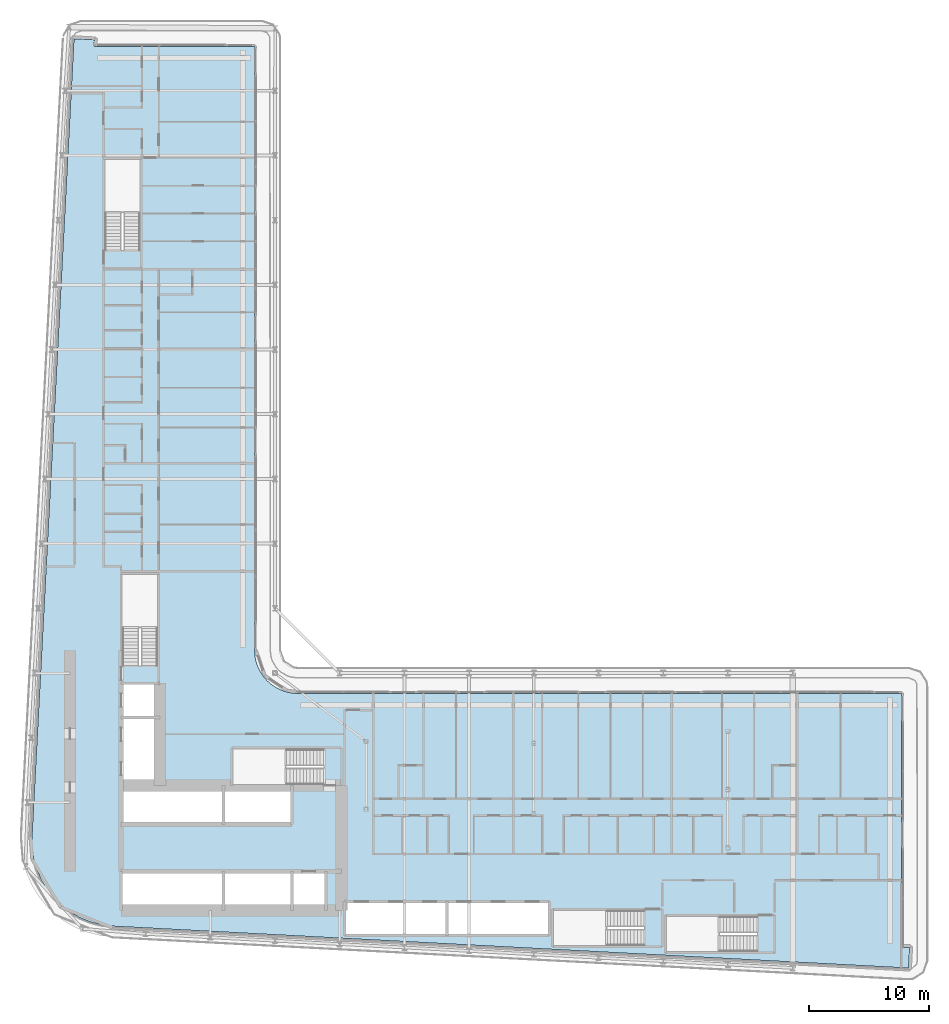
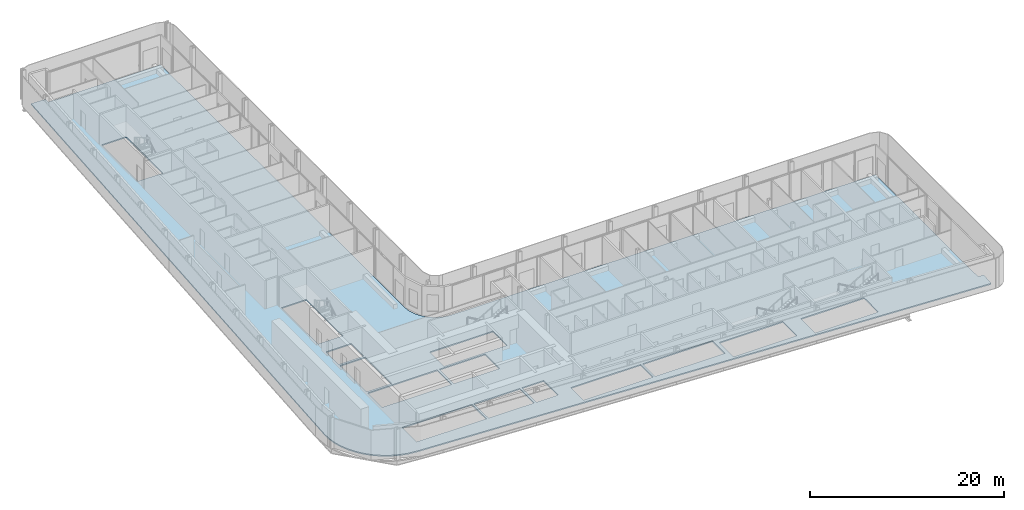
# One storey, part 11 of 28: 1 slab.
"""IFC4 building model written with IfcOpenShell, lengths in metres."""

import ifcopenshell
import ifcopenshell.guid

model = None  # the IFC model being written
_history = None  # IfcOwnerHistory: only IFC2X3 demands one
_inside = {}  # id of a spatial element -> (the spatial element, [elements in it])
_under = {}  # id of a project, library or spatial element -> (it, [spatial elements below it])
_declared = {}  # id of a project -> (the project, [libraries it declares])
_typed = {}  # id of a type object -> (the type object, [elements of that type])
_made_of = {}  # id of a material, layer set ... -> (it, [elements and type objects made of it])


def new_model(schema):
    """Start an empty IFC model of exactly this schema.

    Asked for "IFC4X3", IfcOpenShell would pick the latest addendum, in which some entities
    have other attributes; the version numbers below select the first issue.
    IFC2X3 requires an IfcOwnerHistory on every rooted entity: one is made here for all.
    """
    global model, _history
    if schema == "IFC4X3":
        model = ifcopenshell.file(schema_version=(4, 3, 0, 0))
    else:
        model = ifcopenshell.file(schema=schema)
    _inside.clear()
    _under.clear()
    _declared.clear()
    _typed.clear()
    _made_of.clear()
    _history = None
    if model.schema == "IFC2X3":
        org = make("IfcOrganization", Name="unknown")
        user = make(
            "IfcPersonAndOrganization",
            ThePerson=make("IfcPerson", FamilyName="unknown"),
            TheOrganization=org,
        )
        app = make(
            "IfcApplication",
            ApplicationDeveloper=org,
            Version="unknown",
            ApplicationFullName="unknown",
            ApplicationIdentifier="unknown",
        )
        _history = make(
            "IfcOwnerHistory",
            OwningUser=user,
            OwningApplication=app,
            ChangeAction="ADDED",
            CreationDate=0,
        )
    return model


def make(cls, **values):
    """One entity of the class cls with the attributes given. An attribute that is None is left unset."""
    return model.create_entity(
        cls, **{name: value for name, value in values.items() if value is not None}
    )


def rooted(cls, **values):
    """An entity with a GlobalId (a new one), such as an element, a storey or a relation."""
    return make(cls, GlobalId=ifcopenshell.guid.new(), OwnerHistory=_history, **values)


def si_unit(unit_type, name, prefix=None):
    """IfcSIUnit, for example si_unit("LENGTHUNIT", "METRE", prefix="MILLI")."""
    return make("IfcSIUnit", UnitType=unit_type, Prefix=prefix, Name=name)


def assignment(units):
    """IfcUnitAssignment: the units of a project."""
    return None if units is None else make("IfcUnitAssignment", Units=units)


def point(xyz):
    """IfcCartesianPoint."""
    return None if xyz is None else make("IfcCartesianPoint", Coordinates=xyz)


def direction(xyz):
    """IfcDirection."""
    return None if xyz is None else make("IfcDirection", DirectionRatios=xyz)


def frame(location, z_axis=None, x_axis=None):
    """IfcAxis2Placement3D, a coordinate frame: its origin and axes. An axis left out is left unset."""
    return make(
        "IfcAxis2Placement3D",
        Location=point(location),
        Axis=direction(z_axis),
        RefDirection=direction(x_axis),
    )


def origin():
    """The frame at (0, 0, 0) with its axes left unset."""
    return frame((0.0, 0.0, 0.0))


def place(relative_to, where):
    """IfcLocalPlacement: puts the frame where relative to a parent placement (None: the world)."""
    return make(
        "IfcLocalPlacement", PlacementRelTo=relative_to, RelativePlacement=where
    )


def context(
    kind, dimensions, precision=None, world=None, true_north=None, identifier=None
):
    """IfcGeometricRepresentationContext, for example the 3D "Model" context."""
    return make(
        "IfcGeometricRepresentationContext",
        ContextIdentifier=identifier,
        ContextType=kind,
        CoordinateSpaceDimension=dimensions,
        Precision=precision,
        WorldCoordinateSystem=world,
        TrueNorth=true_north,
    )


def subcontext(parent, identifier, kind, view, scale=None):
    """IfcGeometricRepresentationSubContext, for example "Body" below "Model"."""
    return make(
        "IfcGeometricRepresentationSubContext",
        ContextIdentifier=identifier,
        ContextType=kind,
        ParentContext=parent,
        TargetScale=scale,
        TargetView=view,
    )


def project(units=None, contexts=None):
    """IfcProject with its units and contexts."""
    return rooted(
        "IfcProject",
        Name="project",
        RepresentationContexts=contexts,
        UnitsInContext=assignment(units),
    )


def spatial(cls, under=None, at=None, **own):
    """A site, building, storey or space (cls), placed at a placement, below another one or the project."""
    s = rooted(cls, ObjectPlacement=at, **own)
    if under is not None:
        _under.setdefault(under.id(), (under, []))[1].append(s)
    return s


def polyline(points):
    """IfcPolyline through the points."""
    return make("IfcPolyline", Points=[point(p) for p in points])


def outline(outer, holes=None, kind="AREA"):
    """IfcArbitraryClosedProfileDef: a profile drawn as a closed curve; with holes, ...WithVoids."""
    if holes is None:
        return make("IfcArbitraryClosedProfileDef", ProfileType=kind, OuterCurve=outer)
    return make(
        "IfcArbitraryProfileDefWithVoids",
        ProfileType=kind,
        OuterCurve=outer,
        InnerCurves=holes,
    )


def extrude(swept, where, along, depth):
    """IfcExtrudedAreaSolid: the profile swept, set in the frame where, extruded along a direction by depth."""
    return make(
        "IfcExtrudedAreaSolid",
        SweptArea=swept,
        Position=where,
        ExtrudedDirection=direction(along),
        Depth=depth,
    )


def shape(context_of_items, identifier, shape_type, items):
    """IfcShapeRepresentation: the items that make up one representation, for example the "Body"."""
    return make(
        "IfcShapeRepresentation",
        ContextOfItems=context_of_items,
        RepresentationIdentifier=identifier,
        RepresentationType=shape_type,
        Items=items,
    )


def material(Name=None, Category=None):
    """IfcMaterial."""
    return make("IfcMaterial", Name=Name, Category=Category)


def layer(
    of_material, thickness, ventilated=None, Name=None, Category=None, Priority=None
):
    """IfcMaterialLayer: one layer of a wall or slab, of a material (None: an air gap)."""
    return make(
        "IfcMaterialLayer",
        Material=of_material,
        LayerThickness=thickness,
        IsVentilated=ventilated,
        Name=Name,
        Category=Category,
        Priority=Priority,
    )


def layer_set(layers, Name=None):
    """IfcMaterialLayerSet."""
    return make("IfcMaterialLayerSet", MaterialLayers=layers, LayerSetName=Name)


def made_of(thing, what):
    """Note that an element or type object is made of a material, layer set ...; save() writes the relation."""
    if what is not None:
        _made_of.setdefault(what.id(), (what, []))[1].append(thing)
    return thing


def type_object(cls, material=None, **own):
    """A type object (cls), such as IfcWallType, which elements share."""
    return made_of(rooted(cls, **own), material)


def element(
    cls,
    number,
    at=None,
    inside=None,
    cuts=None,
    type_object=None,
    material=None,
    context=None,
    identifier="Body",
    shape_type=None,
    held_by="IfcProductDefinitionShape",
    body=None,
    shapes=None,
    **own,
):
    """One element of the class cls, such as IfcWall. Its Tag is "e" and its number.

    at: its placement. inside: the storey or other place that contains it. cuts: it is an
    opening in that element (IfcRelVoidsElement). A single representation is given by context,
    identifier, shape_type and body (its items); several are given by shapes. held_by: the class
    of the entity that holds the representations. save() writes the other relations.
    """
    e = rooted(cls, Tag="e%d" % number, ObjectPlacement=at, **own)
    if body is not None:
        shapes = [shape(context, identifier, shape_type, body)]
    if shapes is not None:
        e.Representation = make(held_by, Representations=shapes)
    if inside is not None:
        _inside.setdefault(inside.id(), (inside, []))[1].append(e)
    if cuts is not None:
        rooted(
            "IfcRelVoidsElement", RelatingBuildingElement=cuts, RelatedOpeningElement=e
        )
    if type_object is not None:
        _typed.setdefault(type_object.id(), (type_object, []))[1].append(e)
    return made_of(e, material)


def aggregate(whole, parts):
    """IfcRelAggregates: a whole, such as a stair, and the parts it consists of."""
    return rooted("IfcRelAggregates", RelatingObject=whole, RelatedObjects=parts)


def save(model, path):
    """Write the relations noted so far, then the file.

    IfcRelAggregates (storeys below a building ...), IfcRelContainedInSpatialStructure (elements
    in a storey), IfcRelDefinesByType, IfcRelAssociatesMaterial and IfcRelDeclares: one each for
    every whole, place, type object, material and project.
    """
    for whole, parts in _under.values():
        aggregate(whole, parts)
    for where, things in _inside.values():
        rooted(
            "IfcRelContainedInSpatialStructure",
            RelatedElements=things,
            RelatingStructure=where,
        )
    for kind, things in _typed.values():
        rooted("IfcRelDefinesByType", RelatedObjects=things, RelatingType=kind)
    for what, things in _made_of.values():
        rooted("IfcRelAssociatesMaterial", RelatedObjects=things, RelatingMaterial=what)
    for by, libraries in _declared.values():
        rooted("IfcRelDeclares", RelatingContext=by, RelatedDefinitions=libraries)
    model.write(path)


model = new_model("IFC4")

# Units and contexts
model_context = context("Model", 3, precision=1e-05, world=origin(), true_north=direction((0.0, 1.0)))
body_context = subcontext(model_context, "Body", "Model", "MODEL_VIEW")
ifc_project = project(units=[si_unit("LENGTHUNIT", "METRE"), si_unit("AREAUNIT", "SQUARE_METRE"), si_unit("VOLUMEUNIT", "CUBIC_METRE"), si_unit("PLANEANGLEUNIT", "RADIAN"), si_unit("MASSUNIT", "GRAM", prefix="KILO")], contexts=[model_context])

# Site, building, storey
site_placement = place(None, origin())
site = spatial("IfcSite", under=ifc_project, at=site_placement, CompositionType="ELEMENT")
building_placement = place(site_placement, origin())
building = spatial("IfcBuilding", under=site, at=building_placement, Name="Kheshtan School and Residences Tower", CompositionType="ELEMENT")
storey_placement = place(building_placement, frame((0.0, 0.0, 77.300048828125)))
storey = spatial("IfcBuildingStorey", under=building, at=storey_placement, Name="L18", CompositionType="ELEMENT", Elevation=77.300048828125)

# Slab
ifc_material = material(Name="Concrete C40/50", Category="concrete")
ifc_layer = layer(ifc_material, 0.14990234375)
ifc_layer_set = layer_set([ifc_layer], Name="Floor slab 150 Concrete C40/50")
slab_type = type_object("IfcSlabType", Name="Floor slab 150 Concrete C40/50", PredefinedType="FLOOR", material=ifc_layer_set)
slab_placement = place(storey_placement, frame((0.0, 0.0, -0.150146484375)))
element("IfcSlab", 1, at=slab_placement, inside=storey, type_object=slab_type, Name="Floor slab L18", PredefinedType="FLOOR", context=body_context, shape_type="SweptSolid", body=[
    extrude(outline(polyline([(27.718017578125, 29.200927734375), (27.466064453125, 30.093017578125), (27.466064453125, 30.093994140625), (27.3330078125, 31.013916015625), (27.320068359375, 31.965087890625), (27.320068359375, 31.970947265625), (30.822021484375, 98.5009765625), (30.822998046875, 98.508056640625), (30.825927734375, 98.531005859375), (30.825927734375, 98.531982421875), (30.826904296875, 98.531982421875), (31.422119140625, 98.5), (31.423095703125, 98.5), (31.423095703125, 98.4990234375), (31.423095703125, 98.4951171875), (31.423095703125, 98.493896484375), (31.424072265625, 98.493896484375), (31.424072265625, 98.492919921875), (31.425048828125, 98.492919921875), (31.426025390625, 98.492919921875), (31.426025390625, 98.493896484375), (31.427978515625, 98.49609375), (31.428955078125, 98.4970703125), (31.429931640625, 98.498046875), (31.430908203125, 98.498046875), (31.430908203125, 98.4990234375), (31.431884765625, 98.4990234375), (31.431884765625, 98.5), (31.43505859375, 98.5009765625), (31.43603515625, 98.501953125), (31.43896484375, 98.501953125), (31.43994140625, 98.501953125), (31.43994140625, 98.5029296875), (31.44091796875, 98.5029296875), (31.446044921875, 98.5029296875), (32.5009765625, 98.447021484375), (32.50390625, 98.447021484375), (32.5048828125, 98.447021484375), (32.5048828125, 98.446044921875), (32.506103515625, 98.446044921875), (32.510009765625, 98.446044921875), (32.510009765625, 98.445068359375), (32.510986328125, 98.445068359375), (32.510986328125, 98.444091796875), (32.511962890625, 98.444091796875), (32.511962890625, 98.443115234375), (32.512939453125, 98.443115234375), (32.513916015625, 98.443115234375), (32.513916015625, 98.44189453125), (32.514892578125, 98.44189453125), (32.51611328125, 98.44189453125), (32.51904296875, 98.43896484375), (32.51904296875, 98.43798828125), (32.51904296875, 98.43701171875), (32.52001953125, 98.43701171875), (32.52001953125, 98.43603515625), (32.52099609375, 98.43603515625), (32.52099609375, 98.43408203125), (32.52099609375, 98.43310546875), (32.52197265625, 98.43310546875), (32.52197265625, 98.431884765625), (32.52294921875, 98.431884765625), (32.52294921875, 98.430908203125), (32.52294921875, 98.428955078125), (32.52294921875, 98.427978515625), (32.52392578125, 98.427978515625), (32.52392578125, 98.427001953125), (32.52392578125, 98.422119140625), (32.4970703125, 97.9208984375), (32.4970703125, 97.91796875), (32.4970703125, 97.9169921875), (32.49609375, 97.9169921875), (32.49609375, 97.916015625), (32.49609375, 97.912109375), (32.4951171875, 97.910888671875), (32.4951171875, 97.909912109375), (32.493896484375, 97.909912109375), (32.493896484375, 97.908935546875), (32.492919921875, 97.908935546875), (32.492919921875, 97.907958984375), (32.489013671875, 97.904052734375), (32.488037109375, 97.904052734375), (32.488037109375, 97.903076171875), (32.488037109375, 97.902099609375), (32.488037109375, 97.90087890625), (32.489013671875, 97.90087890625), (32.489013671875, 97.89990234375), (32.489990234375, 97.89990234375), (45.85498046875, 97.89990234375), (45.864990234375, 97.89794921875), (45.865966796875, 97.89794921875), (45.868896484375, 97.89599609375), (45.8740234375, 97.89404296875), (45.8779296875, 97.89208984375), (45.881103515625, 97.889892578125), (45.881103515625, 97.888916015625), (45.882080078125, 97.888916015625), (45.882080078125, 97.887939453125), (45.883056640625, 97.887939453125), (45.884033203125, 97.885009765625), (45.885009765625, 97.885009765625), (45.885009765625, 97.884033203125), (45.887939453125, 97.883056640625), (45.887939453125, 97.882080078125), (45.888916015625, 97.882080078125), (45.888916015625, 97.881103515625), (45.889892578125, 97.881103515625), (45.89208984375, 97.8779296875), (45.89404296875, 97.8740234375), (45.89599609375, 97.868896484375), (45.89794921875, 97.865966796875), (45.89794921875, 97.864990234375), (45.89990234375, 97.85498046875), (45.89990234375, 47.429931640625), (45.927001953125, 47.030029296875), (46.01806640625, 46.570068359375), (46.01806640625, 46.569091796875), (46.169921875, 46.1201171875), (46.37890625, 45.697021484375), (46.638916015625, 45.30810546875), (46.949951171875, 44.950927734375), (46.950927734375, 44.949951171875), (47.30810546875, 44.638916015625), (47.697021484375, 44.37890625), (48.1201171875, 44.169921875), (48.569091796875, 44.01806640625), (48.570068359375, 44.01806640625), (49.030029296875, 43.927001953125), (49.429931640625, 43.89990234375), (99.85498046875, 43.89990234375), (99.864990234375, 43.89794921875), (99.865966796875, 43.89794921875), (99.868896484375, 43.89599609375), (99.8740234375, 43.89404296875), (99.8779296875, 43.89208984375), (99.881103515625, 43.889892578125), (99.881103515625, 43.888916015625), (99.882080078125, 43.888916015625), (99.882080078125, 43.887939453125), (99.883056640625, 43.887939453125), (99.884033203125, 43.885009765625), (99.885009765625, 43.885009765625), (99.885009765625, 43.884033203125), (99.887939453125, 43.883056640625), (99.887939453125, 43.882080078125), (99.888916015625, 43.882080078125), (99.888916015625, 43.881103515625), (99.889892578125, 43.881103515625), (99.89208984375, 43.8779296875), (99.89404296875, 43.8740234375), (99.89599609375, 43.868896484375), (99.89794921875, 43.865966796875), (99.89794921875, 43.864990234375), (99.89990234375, 43.85498046875), (99.89990234375, 22.708984375), (99.89990234375, 22.7080078125), (99.90087890625, 22.7080078125), (99.90087890625, 22.70703125), (99.902099609375, 22.70703125), (99.903076171875, 22.70703125), (99.903076171875, 22.7080078125), (99.905029296875, 22.7099609375), (99.906982421875, 22.7119140625), (99.907958984375, 22.7119140625), (99.907958984375, 22.712890625), (99.908935546875, 22.712890625), (99.908935546875, 22.714111328125), (99.909912109375, 22.714111328125), (99.912109375, 22.715087890625), (99.9130859375, 22.716064453125), (99.916015625, 22.716064453125), (99.9169921875, 22.716064453125), (99.9169921875, 22.717041015625), (99.91796875, 22.717041015625), (99.923095703125, 22.717041015625), (100.5380859375, 22.68408203125), (100.541015625, 22.68408203125), (100.5419921875, 22.68408203125), (100.5419921875, 22.68310546875), (100.54296875, 22.68310546875), (100.547119140625, 22.68310546875), (100.547119140625, 22.681884765625), (100.548095703125, 22.681884765625), (100.548095703125, 22.680908203125), (100.549072265625, 22.680908203125), (100.549072265625, 22.679931640625), (100.550048828125, 22.679931640625), (100.551025390625, 22.679931640625), (100.551025390625, 22.678955078125), (100.552001953125, 22.678955078125), (100.552978515625, 22.678955078125), (100.552978515625, 22.677978515625), (100.554931640625, 22.676025390625), (100.555908203125, 22.676025390625), (100.555908203125, 22.675048828125), (100.555908203125, 22.674072265625), (100.556884765625, 22.674072265625), (100.556884765625, 22.673095703125), (100.55810546875, 22.673095703125), (100.55810546875, 22.6708984375), (100.55810546875, 22.669921875), (100.55908203125, 22.669921875), (100.55908203125, 22.6689453125), (100.56005859375, 22.6689453125), (100.56005859375, 22.66796875), (100.56005859375, 22.666015625), (100.56005859375, 22.6650390625), (100.56103515625, 22.6650390625), (100.56103515625, 22.6640625), (100.56103515625, 22.658935546875), (100.5048828125, 21.60205078125), (100.5048828125, 21.59912109375), (100.5048828125, 21.597900390625), (100.50390625, 21.597900390625), (100.50390625, 21.596923828125), (100.50390625, 21.593017578125), (100.5029296875, 21.592041015625), (100.5029296875, 21.591064453125), (100.501953125, 21.591064453125), (100.501953125, 21.590087890625), (100.5009765625, 21.590087890625), (100.5009765625, 21.589111328125), (100.5, 21.587890625), (100.498046875, 21.5859375), (100.4970703125, 21.5849609375), (100.49609375, 21.5849609375), (100.49609375, 21.583984375), (100.49609375, 21.5830078125), (100.49609375, 21.58203125), (100.4970703125, 21.58203125), (100.4970703125, 21.5810546875), (100.498046875, 21.5810546875), (100.4990234375, 21.5810546875), (100.5, 21.5810546875), (100.5, 21.580078125), (100.468017578125, 20.985107421875), (100.468017578125, 20.98388671875), (100.467041015625, 20.98388671875), (100.443115234375, 20.98291015625), (100.43798828125, 20.98291015625), (34.056884765625, 24.47802734375), (33.114990234375, 24.590087890625), (32.215087890625, 24.819091796875), (32.214111328125, 24.819091796875), (31.35205078125, 25.1630859375), (30.541015625, 25.616943359375), (29.799072265625, 26.1708984375), (29.799072265625, 26.172119140625), (29.798095703125, 26.172119140625), (29.134033203125, 26.820068359375), (29.134033203125, 26.821044921875), (29.133056640625, 26.821044921875), (28.55908203125, 27.550048828125), (28.0849609375, 28.345947265625), (27.718017578125, 29.200927734375)]), holes=[polyline([(99.89990234375, 21.5869140625), (99.89990234375, 21.5830078125), (99.89990234375, 21.58203125), (99.90087890625, 21.58203125), (99.90087890625, 21.5810546875), (99.902099609375, 21.5810546875), (99.906005859375, 21.5810546875), (99.906982421875, 21.5810546875), (99.906982421875, 21.58203125), (99.907958984375, 21.58203125), (99.907958984375, 21.5830078125), (99.907958984375, 21.583984375), (99.906982421875, 21.583984375), (99.905029296875, 21.5859375), (99.904052734375, 21.5869140625), (99.903076171875, 21.587890625), (99.903076171875, 21.589111328125), (99.902099609375, 21.589111328125), (99.90087890625, 21.589111328125), (99.90087890625, 21.587890625), (99.89990234375, 21.587890625), (99.89990234375, 21.5869140625)]), polyline([(31.423095703125, 97.906005859375), (31.423095703125, 97.902099609375), (31.423095703125, 97.90087890625), (31.424072265625, 97.90087890625), (31.424072265625, 97.89990234375), (31.425048828125, 97.89990234375), (31.428955078125, 97.89990234375), (31.429931640625, 97.89990234375), (31.429931640625, 97.90087890625), (31.430908203125, 97.90087890625), (31.430908203125, 97.902099609375), (31.430908203125, 97.903076171875), (31.429931640625, 97.903076171875), (31.428955078125, 97.904052734375), (31.427978515625, 97.905029296875), (31.427001953125, 97.906005859375), (31.426025390625, 97.906982421875), (31.426025390625, 97.907958984375), (31.425048828125, 97.907958984375), (31.424072265625, 97.907958984375), (31.424072265625, 97.906982421875), (31.423095703125, 97.906982421875), (31.423095703125, 97.906005859375)]), polyline([(34.875, 28.925048828125), (34.875, 25.925048828125), (43.175048828125, 25.925048828125), (43.175048828125, 28.925048828125), (34.875, 28.925048828125)]), polyline([(43.425048828125, 25.925048828125), (48.875, 25.925048828125), (48.875, 28.925048828125), (43.425048828125, 28.925048828125), (43.425048828125, 25.925048828125)]), polyline([(43.175048828125, 36.074951171875), (34.875, 36.074951171875), (34.875, 33.074951171875), (43.175048828125, 33.074951171875), (43.175048828125, 36.074951171875)]), polyline([(34.875, 41.77490234375), (34.875, 36.324951171875), (37.875, 36.324951171875), (37.875, 41.77490234375), (34.875, 41.77490234375)]), polyline([(34.875, 44.625), (34.875, 42.02490234375), (37.875, 42.02490234375), (37.875, 44.625), (34.875, 44.625)]), polyline([(37.800048828125, 46.25), (37.800048828125, 53.81005859375), (34.85009765625, 53.81005859375), (34.85009765625, 46.260009765625), (36.25, 46.260009765625), (36.25, 46.25), (37.800048828125, 46.25)]), polyline([(33.39990234375, 88.4599609375), (33.39990234375, 80.909912109375), (34.800048828125, 80.909912109375), (34.800048828125, 80.89990234375), (36.35009765625, 80.89990234375), (36.35009765625, 88.4599609375), (33.39990234375, 88.4599609375)]), polyline([(87.81005859375, 22.35009765625), (87.81005859375, 23.75), (87.820068359375, 23.75), (87.820068359375, 25.300048828125), (80.260009765625, 25.300048828125), (80.260009765625, 22.35009765625), (87.81005859375, 22.35009765625)]), polyline([(70.85009765625, 22.85009765625), (78.39990234375, 22.85009765625), (78.39990234375, 24.25), (78.409912109375, 24.25), (78.409912109375, 25.800048828125), (70.85009765625, 25.800048828125), (70.85009765625, 22.85009765625)]), polyline([(61.824951171875, 26.425048828125), (53.52490234375, 26.425048828125), (53.52490234375, 23.824951171875), (61.824951171875, 23.824951171875), (61.824951171875, 26.425048828125)]), polyline([(62.074951171875, 23.824951171875), (70.375, 23.824951171875), (70.375, 26.425048828125), (62.074951171875, 26.425048828125), (62.074951171875, 23.824951171875)]), polyline([(49.125, 28.925048828125), (49.125, 25.925048828125), (51.72509765625, 25.925048828125), (51.72509765625, 28.925048828125), (49.125, 28.925048828125)]), polyline([(43.425048828125, 33.074951171875), (48.875, 33.074951171875), (48.875, 36.074951171875), (43.425048828125, 36.074951171875), (43.425048828125, 33.074951171875)]), polyline([(51.64990234375, 39.25), (44.090087890625, 39.25), (44.090087890625, 36.300048828125), (51.639892578125, 36.300048828125), (51.639892578125, 37.699951171875), (51.64990234375, 37.699951171875), (51.64990234375, 39.25)])]), origin(), (0.0, 0.0, 1.0), 0.150146484375),
])

save(model, "model.ifc")
